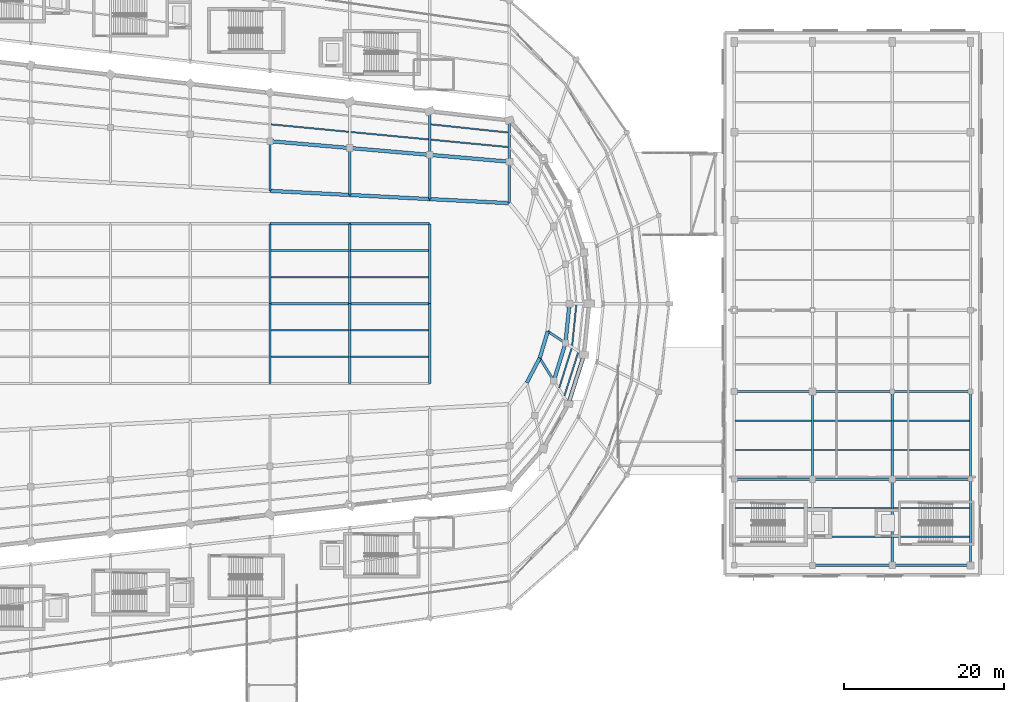
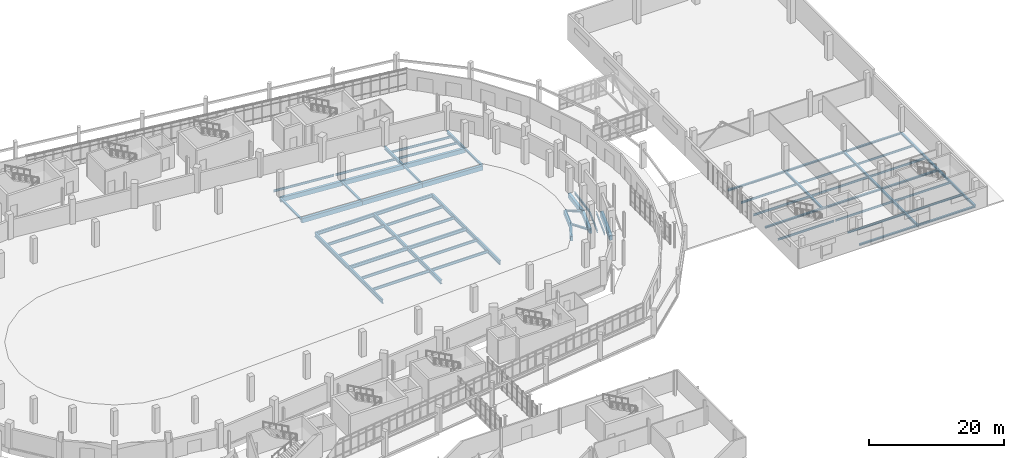
# One storey, part 70 of 122: 68 beams.
"""IFC4 building model written with IfcOpenShell, lengths in metres."""

from ifc_helpers import new_model, si_unit, direction, frame, origin, origin_2d, place, context, subcontext, project, spatial, rectangle, i_section, extrude, material, material_profile, profile_set, type_object, element, save


model = new_model("IFC4")

# Units and contexts
model_context = context("Model", 3, precision=1e-05, world=origin(), true_north=direction((0.0, 1.0)))
body_context = subcontext(model_context, "Body", "Model", "MODEL_VIEW")
ifc_project = project(units=[si_unit("LENGTHUNIT", "METRE"), si_unit("AREAUNIT", "SQUARE_METRE"), si_unit("VOLUMEUNIT", "CUBIC_METRE"), si_unit("PLANEANGLEUNIT", "RADIAN"), si_unit("MASSUNIT", "GRAM", prefix="KILO")], contexts=[model_context])

# Site, building, storey
site_placement = place(None, origin())
site = spatial("IfcSite", under=ifc_project, at=site_placement, CompositionType="ELEMENT")
building_placement = place(site_placement, origin())
building = spatial("IfcBuilding", under=site, at=building_placement, Name="Sohan Crest Arena", CompositionType="ELEMENT")
storey_placement = place(building_placement, origin())
storey = spatial("IfcBuildingStorey", under=building, at=storey_placement, Name="L00", CompositionType="ELEMENT", Elevation=0.0)

# Beams
ifc_material_1 = material(Name="Steel S355", Category="steel")
ifc_material_profile_1 = material_profile(ifc_material_1, i_section(OverallWidth=0.169921875, OverallDepth=0.360107421875, WebThickness=0.008056640625, FlangeThickness=0.0126953125, at=origin_2d()), Name="IPE 360")
ifc_profile_set_1 = profile_set([ifc_material_profile_1], Name="Steel S355")
beam_type_1 = type_object("IfcBeamType", Name="STR-BM-B02", PredefinedType="JOIST", material=ifc_profile_set_1)
beam_1_placement = place(storey_placement, frame((196.31005859375, 52.39990234375, -0.409912109375), z_axis=(1.0, 0.0, 0.0), x_axis=(0.0, 1.0, 0.0)))
element("IfcBeam", 1, at=beam_1_placement, inside=storey, type_object=beam_type_1, Name="Structural beam J-L00-2209", PredefinedType="JOIST", context=body_context, shape_type="SweptSolid", body=[
    extrude(i_section(OverallWidth=0.169921875, OverallDepth=0.360107421875, WebThickness=0.008056640625, FlangeThickness=0.0126953125, at=origin_2d()), origin(), (0.0, 0.0, 1.0), 9.579833984375),
])
for number, where, z_axis, x_axis, name in (
    (2, (206.110107421875, 48.800048828125, -0.409912109375), (1.0, 0.0, 0.0), (0.0, 1.0, 0.0), "Structural beam J-L00-2211"),
    (3, (206.110107421875, 52.39990234375, -0.409912109375), (1.0, 0.0, 0.0), (0.0, 1.0, 0.0), "Structural beam J-L00-2212"),
):
    element("IfcBeam", number, at=place(storey_placement, frame(where, z_axis=z_axis, x_axis=x_axis)), inside=storey, type_object=beam_type_1, Name=name, PredefinedType="JOIST", context=body_context, shape_type="SweptSolid", body=[
        extrude(i_section(OverallWidth=0.169921875, OverallDepth=0.360107421875, WebThickness=0.008056640625, FlangeThickness=0.0126953125, at=origin_2d()), origin(), (0.0, 0.0, 1.0), 9.77978515625),
    ])
for number, where, z_axis, x_axis, name in (
    (4, (216.110107421875, 48.800048828125, -0.409912109375), (1.0, 0.0, 0.0), (0.0, 1.0, 0.0), "Structural beam J-L00-2214"),
    (5, (216.110107421875, 52.39990234375, -0.409912109375), (1.0, 0.0, 0.0), (0.0, 1.0, 0.0), "Structural beam J-L00-2215"),
    (6, (196.31005859375, 59.6669921875, -0.409912109375), (1.0, 0.0, 0.0), (0.0, 1.0, 0.0), "Structural beam J-L00-2217"),
    (7, (196.31005859375, 63.3330078125, -0.409912109375), (1.0, 0.0, 0.0), (0.0, 1.0, 0.0), "Structural beam J-L00-2218"),
):
    element("IfcBeam", number, at=place(storey_placement, frame(where, z_axis=z_axis, x_axis=x_axis)), inside=storey, type_object=beam_type_1, Name=name, PredefinedType="JOIST", context=body_context, shape_type="SweptSolid", body=[
        extrude(i_section(OverallWidth=0.169921875, OverallDepth=0.360107421875, WebThickness=0.008056640625, FlangeThickness=0.0126953125, at=origin_2d()), origin(), (0.0, 0.0, 1.0), 9.579833984375),
    ])
for number, where, z_axis, x_axis, name in (
    (8, (206.110107421875, 59.6669921875, -0.409912109375), (1.0, 0.0, 0.0), (0.0, 1.0, 0.0), "Structural beam J-L00-2220"),
    (9, (206.110107421875, 63.3330078125, -0.409912109375), (1.0, 0.0, 0.0), (0.0, 1.0, 0.0), "Structural beam J-L00-2221"),
):
    element("IfcBeam", number, at=place(storey_placement, frame(where, z_axis=z_axis, x_axis=x_axis)), inside=storey, type_object=beam_type_1, Name=name, PredefinedType="JOIST", context=body_context, shape_type="SweptSolid", body=[
        extrude(i_section(OverallWidth=0.169921875, OverallDepth=0.360107421875, WebThickness=0.008056640625, FlangeThickness=0.0126953125, at=origin_2d()), origin(), (0.0, 0.0, 1.0), 9.77978515625),
    ])
for number, where, z_axis, x_axis, name in (
    (10, (216.110107421875, 59.6669921875, -0.409912109375), (1.0, 0.0, 0.0), (0.0, 1.0, 0.0), "Structural beam J-L00-2223"),
    (11, (216.110107421875, 63.3330078125, -0.409912109375), (1.0, 0.0, 0.0), (0.0, 1.0, 0.0), "Structural beam J-L00-2224"),
):
    element("IfcBeam", number, at=place(storey_placement, frame(where, z_axis=z_axis, x_axis=x_axis)), inside=storey, type_object=beam_type_1, Name=name, PredefinedType="JOIST", context=body_context, shape_type="SweptSolid", body=[
        extrude(i_section(OverallWidth=0.169921875, OverallDepth=0.360107421875, WebThickness=0.008056640625, FlangeThickness=0.0126953125, at=origin_2d()), origin(), (0.0, 0.0, 1.0), 9.579833984375),
    ])
ifc_material_profile_2 = material_profile(ifc_material_1, i_section(OverallWidth=0.179931640625, OverallDepth=0.39990234375, WebThickness=0.008544921875, FlangeThickness=0.013427734375, at=origin_2d()), Name="IPE 400")
ifc_profile_set_2 = profile_set([ifc_material_profile_2], Name="Steel S355")
beam_type_2 = type_object("IfcBeamType", Name="STR-BM-B03", PredefinedType="JOIST", material=ifc_profile_set_2)
beam_2_placement = place(storey_placement, frame((174.2470703125, 67.43310546875, -0.449951171875), z_axis=(0.298949451422, 0.954268948198, 0.0), x_axis=(-0.954268948198, 0.298949451422, 0.0)))
element("IfcBeam", 12, at=beam_2_placement, inside=storey, type_object=beam_type_2, Name="Structural beam J-L00-0525", PredefinedType="JOIST", context=body_context, shape_type="SweptSolid", body=[
    extrude(i_section(OverallWidth=0.179931640625, OverallDepth=0.39990234375, WebThickness=0.008544921875, FlangeThickness=0.013427734375, at=origin_2d()), origin(), (0.0, 0.0, 1.0), 5.255126953125),
])
beam_3_placement = place(storey_placement, frame((174.89111328125, 66.424072265625, -0.449951171875), z_axis=(0.301440884565, 0.953484867794, 0.0), x_axis=(-0.953484867794, 0.301440884565, 0.0)))
element("IfcBeam", 13, at=beam_3_placement, inside=storey, type_object=beam_type_2, Name="Structural beam J-L00-0526", PredefinedType="JOIST", context=body_context, shape_type="SweptSolid", body=[
    extrude(i_section(OverallWidth=0.179931640625, OverallDepth=0.39990234375, WebThickness=0.008544921875, FlangeThickness=0.013427734375, at=origin_2d()), origin(), (0.0, 0.0, 1.0), 5.775390625),
])
beam_4_placement = place(storey_placement, frame((175.862060546875, 72.662109375, -0.449951171875), z_axis=(0.101030499598, 0.994883328914, 0.0), x_axis=(-0.994883328914, 0.101030499598, 0.0)))
element("IfcBeam", 14, at=beam_4_placement, inside=storey, type_object=beam_type_2, Name="Structural beam J-L00-0548", PredefinedType="JOIST", context=body_context, shape_type="SweptSolid", body=[
    extrude(i_section(OverallWidth=0.179931640625, OverallDepth=0.39990234375, WebThickness=0.008544921875, FlangeThickness=0.013427734375, at=origin_2d()), origin(), (0.0, 0.0, 1.0), 5.255859375),
])
beam_5_placement = place(storey_placement, frame((167.89111328125, 97.6298828125, -0.449951171875), z_axis=(-0.995443739336, 0.095350730547, 0.0), x_axis=(-0.095350730547, -0.995443739336, 0.0)))
element("IfcBeam", 15, at=beam_5_placement, inside=storey, type_object=beam_type_2, Name="Structural beam J-L00-0662", PredefinedType="JOIST", context=body_context, shape_type="SweptSolid", body=[
    extrude(i_section(OverallWidth=0.179931640625, OverallDepth=0.39990234375, WebThickness=0.008544921875, FlangeThickness=0.013427734375, at=origin_2d()), origin(), (0.0, 0.0, 1.0), 9.826904296875),
])
beam_6_placement = place(storey_placement, frame((167.89111328125, 99.451904296875, -0.449951171875), z_axis=(-0.994468399553, 0.105036195141, 0.0), x_axis=(-0.105036195141, -0.994468399553, 0.0)))
element("IfcBeam", 16, at=beam_6_placement, inside=storey, type_object=beam_type_2, Name="Structural beam J-L00-0663", PredefinedType="JOIST", context=body_context, shape_type="SweptSolid", body=[
    extrude(i_section(OverallWidth=0.179931640625, OverallDepth=0.39990234375, WebThickness=0.008544921875, FlangeThickness=0.013427734375, at=origin_2d()), origin(), (0.0, 0.0, 1.0), 9.836669921875),
])
for number, where, z_axis, x_axis, name in (
    (17, (157.89111328125, 98.5869140625, -0.449951171875), (-0.995443739336, 0.095350730547, 0.0), (-0.095350730547, -0.995443739336, 0.0), "Structural beam J-L00-0684"),
    (18, (147.89111328125, 99.5439453125, -0.449951171875), (-0.995443739336, 0.095350730547, 0.0), (-0.095350730547, -0.995443739336, 0.0), "Structural beam J-L00-0706"),
):
    element("IfcBeam", number, at=place(storey_placement, frame(where, z_axis=z_axis, x_axis=x_axis)), inside=storey, type_object=beam_type_2, Name=name, PredefinedType="JOIST", context=body_context, shape_type="SweptSolid", body=[
        extrude(i_section(OverallWidth=0.179931640625, OverallDepth=0.39990234375, WebThickness=0.008544921875, FlangeThickness=0.013427734375, at=origin_2d()), origin(), (0.0, 0.0, 1.0), 9.826904296875),
    ])
ifc_material_profile_3 = material_profile(ifc_material_1, i_section(OverallWidth=0.199951171875, OverallDepth=0.5, WebThickness=0.01025390625, FlangeThickness=0.01611328125, at=origin_2d()), Name="IPE 500")
ifc_profile_set_3 = profile_set([ifc_material_profile_3], Name="Steel S355")
beam_type_3 = type_object("IfcBeamType", Name="STR-BM-B05", PredefinedType="JOIST", material=ifc_profile_set_3)
for number, where, z_axis, x_axis, name in (
    (19, (138.110107421875, 71.3330078125, -0.550048828125), (1.0, 0.0, 0.0), (0.0, 1.0, 0.0), "Structural beam J-L00-0049"),
    (20, (138.110107421875, 74.6669921875, -0.550048828125), (1.0, 0.0, 0.0), (0.0, 1.0, 0.0), "Structural beam J-L00-0050"),
    (21, (138.110107421875, 81.3330078125, -0.550048828125), (1.0, 0.0, 0.0), (0.0, 1.0, 0.0), "Structural beam J-L00-0051"),
    (22, (138.110107421875, 84.6669921875, -0.550048828125), (1.0, 0.0, 0.0), (0.0, 1.0, 0.0), "Structural beam J-L00-0052"),
    (23, (148.110107421875, 71.3330078125, -0.550048828125), (1.0, 0.0, 0.0), (0.0, 1.0, 0.0), "Structural beam J-L00-0053"),
    (24, (148.110107421875, 74.6669921875, -0.550048828125), (1.0, 0.0, 0.0), (0.0, 1.0, 0.0), "Structural beam J-L00-0054"),
    (25, (148.110107421875, 81.3330078125, -0.550048828125), (1.0, 0.0, 0.0), (0.0, 1.0, 0.0), "Structural beam J-L00-0055"),
    (26, (148.110107421875, 84.6669921875, -0.550048828125), (1.0, 0.0, 0.0), (0.0, 1.0, 0.0), "Structural beam J-L00-0056"),
):
    element("IfcBeam", number, at=place(storey_placement, frame(where, z_axis=z_axis, x_axis=x_axis)), inside=storey, type_object=beam_type_3, Name=name, PredefinedType="JOIST", context=body_context, shape_type="SweptSolid", body=[
        extrude(i_section(OverallWidth=0.199951171875, OverallDepth=0.5, WebThickness=0.01025390625, FlangeThickness=0.01611328125, at=origin_2d()), origin(), (0.0, 0.0, 1.0), 9.77978515625),
    ])
ifc_material_profile_4 = material_profile(ifc_material_1, i_section(OverallWidth=0.300048828125, OverallDepth=0.2900390625, WebThickness=0.008544921875, FlangeThickness=0.013916015625, at=origin_2d()), Name="HEA 300")
ifc_profile_set_4 = profile_set([ifc_material_profile_4], Name="Steel S355")
beam_type_4 = type_object("IfcBeamType", Name="STR-BM-B08", PredefinedType="BEAM", material=ifc_profile_set_4)
beam_7_placement = place(storey_placement, frame((206.0, 45.199951171875, -0.375), z_axis=(1.0, 0.0, 0.0), x_axis=(0.0, 1.0, 0.0)))
element("IfcBeam", 27, at=beam_7_placement, inside=storey, type_object=beam_type_4, Name="Structural beam G-L00-2210", PredefinedType="BEAM", context=body_context, shape_type="SweptSolid", body=[
    extrude(i_section(OverallWidth=0.300048828125, OverallDepth=0.2900390625, WebThickness=0.008544921875, FlangeThickness=0.013916015625, at=origin_2d()), origin(), (0.0, 0.0, 1.0), 10.0),
])
for number, where, z_axis, x_axis, name in (
    (28, (216.0, 45.199951171875, -0.375), (1.0, 0.0, 0.0), (0.0, 1.0, 0.0), "Structural beam G-L00-2213"),
    (29, (196.199951171875, 56.0, -0.375), (1.0, 0.0, 0.0), (0.0, 1.0, 0.0), "Structural beam G-L00-2216"),
):
    element("IfcBeam", number, at=place(storey_placement, frame(where, z_axis=z_axis, x_axis=x_axis)), inside=storey, type_object=beam_type_4, Name=name, PredefinedType="BEAM", context=body_context, shape_type="SweptSolid", body=[
        extrude(i_section(OverallWidth=0.300048828125, OverallDepth=0.2900390625, WebThickness=0.008544921875, FlangeThickness=0.013916015625, at=origin_2d()), origin(), (0.0, 0.0, 1.0), 9.800048828125),
    ])
beam_8_placement = place(storey_placement, frame((206.0, 56.0, -0.375), z_axis=(1.0, 0.0, 0.0), x_axis=(0.0, 1.0, 0.0)))
element("IfcBeam", 30, at=beam_8_placement, inside=storey, type_object=beam_type_4, Name="Structural beam G-L00-2219", PredefinedType="BEAM", context=body_context, shape_type="SweptSolid", body=[
    extrude(i_section(OverallWidth=0.300048828125, OverallDepth=0.2900390625, WebThickness=0.008544921875, FlangeThickness=0.013916015625, at=origin_2d()), origin(), (0.0, 0.0, 1.0), 10.0),
])
for number, where, z_axis, x_axis, name in (
    (31, (216.0, 56.0, -0.375), (1.0, 0.0, 0.0), (0.0, 1.0, 0.0), "Structural beam G-L00-2222"),
    (32, (196.199951171875, 67.0, -0.375), (1.0, 0.0, 0.0), (0.0, 1.0, 0.0), "Structural beam G-L00-2225"),
):
    element("IfcBeam", number, at=place(storey_placement, frame(where, z_axis=z_axis, x_axis=x_axis)), inside=storey, type_object=beam_type_4, Name=name, PredefinedType="BEAM", context=body_context, shape_type="SweptSolid", body=[
        extrude(i_section(OverallWidth=0.300048828125, OverallDepth=0.2900390625, WebThickness=0.008544921875, FlangeThickness=0.013916015625, at=origin_2d()), origin(), (0.0, 0.0, 1.0), 9.800048828125),
    ])
beam_9_placement = place(storey_placement, frame((206.0, 67.0, -0.375), z_axis=(1.0, 0.0, 0.0), x_axis=(0.0, 1.0, 0.0)))
element("IfcBeam", 33, at=beam_9_placement, inside=storey, type_object=beam_type_4, Name="Structural beam G-L00-2228", PredefinedType="BEAM", context=body_context, shape_type="SweptSolid", body=[
    extrude(i_section(OverallWidth=0.300048828125, OverallDepth=0.2900390625, WebThickness=0.008544921875, FlangeThickness=0.013916015625, at=origin_2d()), origin(), (0.0, 0.0, 1.0), 10.0),
])
beam_10_placement = place(storey_placement, frame((216.0, 67.0, -0.375), z_axis=(1.0, 0.0, 0.0), x_axis=(0.0, 1.0, 0.0)))
element("IfcBeam", 34, at=beam_10_placement, inside=storey, type_object=beam_type_4, Name="Structural beam G-L00-2231", PredefinedType="BEAM", context=body_context, shape_type="SweptSolid", body=[
    extrude(i_section(OverallWidth=0.300048828125, OverallDepth=0.2900390625, WebThickness=0.008544921875, FlangeThickness=0.013916015625, at=origin_2d()), origin(), (0.0, 0.0, 1.0), 9.800048828125),
])
ifc_material_profile_5 = material_profile(ifc_material_1, i_section(OverallWidth=0.300048828125, OverallDepth=0.389892578125, WebThickness=0.010986328125, FlangeThickness=0.01904296875, at=origin_2d()), Name="HEA 400")
ifc_profile_set_5 = profile_set([ifc_material_profile_5], Name="Steel S355")
beam_type_5 = type_object("IfcBeamType", Name="STR-BM-B09", PredefinedType="BEAM", material=ifc_profile_set_5)
beam_11_placement = place(storey_placement, frame((206.0, 56.0, -0.425048828125), z_axis=(0.0, 1.0, 0.0), x_axis=(-1.0, 0.0, 0.0)))
element("IfcBeam", 35, at=beam_11_placement, inside=storey, type_object=beam_type_5, Name="Structural beam G-L00-2190", PredefinedType="BEAM", context=body_context, shape_type="SweptSolid", body=[
    extrude(i_section(OverallWidth=0.300048828125, OverallDepth=0.389892578125, WebThickness=0.010986328125, FlangeThickness=0.01904296875, at=origin_2d()), origin(), (0.0, 0.0, 1.0), 11.0),
])
beam_12_placement = place(storey_placement, frame((216.0, 45.199951171875, -0.425048828125), z_axis=(0.0, 1.0, 0.0), x_axis=(-1.0, 0.0, 0.0)))
element("IfcBeam", 36, at=beam_12_placement, inside=storey, type_object=beam_type_5, Name="Structural beam G-L00-2195", PredefinedType="BEAM", context=body_context, shape_type="SweptSolid", body=[
    extrude(i_section(OverallWidth=0.300048828125, OverallDepth=0.389892578125, WebThickness=0.010986328125, FlangeThickness=0.01904296875, at=origin_2d()), origin(), (0.0, 0.0, 1.0), 10.800048828125),
])
beam_13_placement = place(storey_placement, frame((216.0, 56.0, -0.425048828125), z_axis=(0.0, 1.0, 0.0), x_axis=(-1.0, 0.0, 0.0)))
element("IfcBeam", 37, at=beam_13_placement, inside=storey, type_object=beam_type_5, Name="Structural beam G-L00-2196", PredefinedType="BEAM", context=body_context, shape_type="SweptSolid", body=[
    extrude(i_section(OverallWidth=0.300048828125, OverallDepth=0.389892578125, WebThickness=0.010986328125, FlangeThickness=0.01904296875, at=origin_2d()), origin(), (0.0, 0.0, 1.0), 11.0),
])
beam_14_placement = place(storey_placement, frame((225.800048828125, 45.199951171875, -0.425048828125), z_axis=(0.0, 1.0, 0.0), x_axis=(-1.0, 0.0, 0.0)))
element("IfcBeam", 38, at=beam_14_placement, inside=storey, type_object=beam_type_5, Name="Structural beam G-L00-2201", PredefinedType="BEAM", context=body_context, shape_type="SweptSolid", body=[
    extrude(i_section(OverallWidth=0.300048828125, OverallDepth=0.389892578125, WebThickness=0.010986328125, FlangeThickness=0.01904296875, at=origin_2d()), origin(), (0.0, 0.0, 1.0), 10.800048828125),
])
beam_15_placement = place(storey_placement, frame((225.800048828125, 56.0, -0.425048828125), z_axis=(0.0, 1.0, 0.0), x_axis=(-1.0, 0.0, 0.0)))
element("IfcBeam", 39, at=beam_15_placement, inside=storey, type_object=beam_type_5, Name="Structural beam G-L00-2202", PredefinedType="BEAM", context=body_context, shape_type="SweptSolid", body=[
    extrude(i_section(OverallWidth=0.300048828125, OverallDepth=0.389892578125, WebThickness=0.010986328125, FlangeThickness=0.01904296875, at=origin_2d()), origin(), (0.0, 0.0, 1.0), 11.0),
])
ifc_material_profile_6 = material_profile(ifc_material_1, i_section(OverallWidth=0.300048828125, OverallDepth=0.590087890625, WebThickness=0.012939453125, FlangeThickness=0.02490234375, at=origin_2d()), Name="HEA 600")
ifc_profile_set_6 = profile_set([ifc_material_profile_6], Name="Steel S355")
beam_type_6 = type_object("IfcBeamType", Name="STR-BM-B11", PredefinedType="BEAM", material=ifc_profile_set_6)
beam_16_placement = place(storey_placement, frame((168.0, 95.800048828125, -0.544921875), z_axis=(0.0, 1.0, 0.0), x_axis=(-1.0, 0.0, 0.0)))
element("IfcBeam", 40, at=beam_16_placement, inside=storey, type_object=beam_type_6, Name="Structural beam G-L00-0661", PredefinedType="BEAM", context=body_context, shape_type="SweptSolid", body=[
    extrude(i_section(OverallWidth=0.300048828125, OverallDepth=0.590087890625, WebThickness=0.012939453125, FlangeThickness=0.02490234375, at=origin_2d()), origin(), (0.0, 0.0, 1.0), 5.199951171875),
])
beam_17_placement = place(storey_placement, frame((158.0, 96.656982421875, -0.544921875), z_axis=(0.0, 1.0, 0.0), x_axis=(-1.0, 0.0, 0.0)))
element("IfcBeam", 41, at=beam_17_placement, inside=storey, type_object=beam_type_6, Name="Structural beam G-L00-0683", PredefinedType="BEAM", context=body_context, shape_type="SweptSolid", body=[
    extrude(i_section(OverallWidth=0.300048828125, OverallDepth=0.590087890625, WebThickness=0.012939453125, FlangeThickness=0.02490234375, at=origin_2d()), origin(), (0.0, 0.0, 1.0), 5.486083984375),
])
ifc_material_profile_7 = material_profile(ifc_material_1, i_section(OverallWidth=0.300048828125, OverallDepth=0.300048828125, WebThickness=0.010986328125, FlangeThickness=0.01904296875, at=origin_2d()), Name="HEB 300")
ifc_profile_set_7 = profile_set([ifc_material_profile_7], Name="Steel S355")
beam_type_7 = type_object("IfcBeamType", Name="STR-BM-B12", PredefinedType="BEAM", material=ifc_profile_set_7)
beam_18_placement = place(storey_placement, frame((171.80908203125, 71.195068359375, -0.39990234375), z_axis=(0.524636757969, -0.851326184366, 0.0), x_axis=(0.851326184366, 0.524636757969, 0.0)))
element("IfcBeam", 42, at=beam_18_placement, inside=storey, type_object=beam_type_7, Name="Structural beam G-L00-0521", PredefinedType="BEAM", context=body_context, shape_type="SweptSolid", body=[
    extrude(i_section(OverallWidth=0.300048828125, OverallDepth=0.300048828125, WebThickness=0.010986328125, FlangeThickness=0.01904296875, at=origin_2d()), origin(), (0.0, 0.0, 1.0), 3.3583984375),
])
beam_19_placement = place(storey_placement, frame((172.80810546875, 74.532958984375, -0.39990234375), z_axis=(0.836029533963, -0.54868444332, 0.0), x_axis=(0.54868444332, 0.836029533963, 0.0)))
element("IfcBeam", 43, at=beam_19_placement, inside=storey, type_object=beam_type_7, Name="Structural beam G-L00-0544", PredefinedType="BEAM", context=body_context, shape_type="SweptSolid", body=[
    extrude(i_section(OverallWidth=0.300048828125, OverallDepth=0.300048828125, WebThickness=0.010986328125, FlangeThickness=0.01904296875, at=origin_2d()), origin(), (0.0, 0.0, 1.0), 2.666259765625),
])
beam_20_placement = place(storey_placement, frame((168.0, 90.60009765625, -0.39990234375), z_axis=(0.0, 1.0, 0.0), x_axis=(-1.0, 0.0, 0.0)))
element("IfcBeam", 44, at=beam_20_placement, inside=storey, type_object=beam_type_7, Name="Structural beam G-L00-0658", PredefinedType="BEAM", context=body_context, shape_type="SweptSolid", body=[
    extrude(i_section(OverallWidth=0.300048828125, OverallDepth=0.300048828125, WebThickness=0.010986328125, FlangeThickness=0.01904296875, at=origin_2d()), origin(), (0.0, 0.0, 1.0), 5.199951171875),
])
beam_21_placement = place(storey_placement, frame((158.0, 91.114013671875, -0.39990234375), z_axis=(0.0, 1.0, 0.0), x_axis=(-1.0, 0.0, 0.0)))
element("IfcBeam", 45, at=beam_21_placement, inside=storey, type_object=beam_type_7, Name="Structural beam G-L00-0680", PredefinedType="BEAM", context=body_context, shape_type="SweptSolid", body=[
    extrude(i_section(OverallWidth=0.300048828125, OverallDepth=0.300048828125, WebThickness=0.010986328125, FlangeThickness=0.01904296875, at=origin_2d()), origin(), (0.0, 0.0, 1.0), 5.54296875),
])
beam_22_placement = place(storey_placement, frame((148.0, 91.62890625, -0.39990234375), z_axis=(0.0, 1.0, 0.0), x_axis=(-1.0, 0.0, 0.0)))
element("IfcBeam", 46, at=beam_22_placement, inside=storey, type_object=beam_type_7, Name="Structural beam G-L00-0702", PredefinedType="BEAM", context=body_context, shape_type="SweptSolid", body=[
    extrude(i_section(OverallWidth=0.300048828125, OverallDepth=0.300048828125, WebThickness=0.010986328125, FlangeThickness=0.01904296875, at=origin_2d()), origin(), (0.0, 0.0, 1.0), 5.885009765625),
])
beam_23_placement = place(storey_placement, frame((138.0, 92.14306640625, -0.39990234375), z_axis=(0.0, 1.0, 0.0), x_axis=(-1.0, 0.0, 0.0)))
element("IfcBeam", 47, at=beam_23_placement, inside=storey, type_object=beam_type_7, Name="Structural beam G-L00-0724", PredefinedType="BEAM", context=body_context, shape_type="SweptSolid", body=[
    extrude(i_section(OverallWidth=0.300048828125, OverallDepth=0.300048828125, WebThickness=0.010986328125, FlangeThickness=0.01904296875, at=origin_2d()), origin(), (0.0, 0.0, 1.0), 6.22802734375),
])
ifc_material_profile_8 = material_profile(ifc_material_1, i_section(OverallWidth=0.300048828125, OverallDepth=0.60009765625, WebThickness=0.015380859375, FlangeThickness=0.030029296875, at=origin_2d()), Name="HEB 600")
ifc_profile_set_8 = profile_set([ifc_material_profile_8], Name="Steel S355")
beam_type_8 = type_object("IfcBeamType", Name="STR-BM-B15", PredefinedType="BEAM", material=ifc_profile_set_8)
for number, where, z_axis, x_axis, name in (
    (48, (138.0, 78.0, -0.60009765625), (1.0, 0.0, 0.0), (0.0, 1.0, 0.0), "Structural beam G-L00-0025"),
    (49, (148.0, 78.0, -0.60009765625), (1.0, 0.0, 0.0), (0.0, 1.0, 0.0), "Structural beam G-L00-0026"),
    (50, (138.0, 88.0, -0.60009765625), (1.0, 0.0, 0.0), (0.0, 1.0, 0.0), "Structural beam G-L00-0031"),
    (51, (148.0, 88.0, -0.60009765625), (1.0, 0.0, 0.0), (0.0, 1.0, 0.0), "Structural beam G-L00-0032"),
):
    element("IfcBeam", number, at=place(storey_placement, frame(where, z_axis=z_axis, x_axis=x_axis)), inside=storey, type_object=beam_type_8, Name=name, PredefinedType="BEAM", context=body_context, shape_type="SweptSolid", body=[
        extrude(i_section(OverallWidth=0.300048828125, OverallDepth=0.60009765625, WebThickness=0.015380859375, FlangeThickness=0.030029296875, at=origin_2d()), origin(), (0.0, 0.0, 1.0), 10.0),
    ])
ifc_material_profile_9 = material_profile(ifc_material_1, i_section(OverallWidth=0.300048828125, OverallDepth=0.699951171875, WebThickness=0.01708984375, FlangeThickness=0.031982421875, at=origin_2d()), Name="HEB 700")
ifc_profile_set_9 = profile_set([ifc_material_profile_9], Name="Steel S355")
beam_type_9 = type_object("IfcBeamType", Name="STR-BM-B16", PredefinedType="BEAM", material=ifc_profile_set_9)
for number, where, z_axis, x_axis, name in (
    (52, (138.0, 68.0, -0.64990234375), (0.0, 1.0, 0.0), (-1.0, 0.0, 0.0), "Structural beam G-L00-0009"),
    (53, (138.0, 78.0, -0.64990234375), (0.0, 1.0, 0.0), (-1.0, 0.0, 0.0), "Structural beam G-L00-0010"),
    (54, (148.0, 68.0, -0.64990234375), (0.0, 1.0, 0.0), (-1.0, 0.0, 0.0), "Structural beam G-L00-0011"),
    (55, (148.0, 78.0, -0.64990234375), (0.0, 1.0, 0.0), (-1.0, 0.0, 0.0), "Structural beam G-L00-0012"),
    (56, (158.0, 68.0, -0.64990234375), (0.0, 1.0, 0.0), (-1.0, 0.0, 0.0), "Structural beam G-L00-0013"),
    (57, (158.0, 78.0, -0.64990234375), (0.0, 1.0, 0.0), (-1.0, 0.0, 0.0), "Structural beam G-L00-0014"),
):
    element("IfcBeam", number, at=place(storey_placement, frame(where, z_axis=z_axis, x_axis=x_axis)), inside=storey, type_object=beam_type_9, Name=name, PredefinedType="BEAM", context=body_context, shape_type="SweptSolid", body=[
        extrude(i_section(OverallWidth=0.300048828125, OverallDepth=0.699951171875, WebThickness=0.01708984375, FlangeThickness=0.031982421875, at=origin_2d()), origin(), (0.0, 0.0, 1.0), 10.0),
    ])
ifc_material_2 = material(Name="Concrete C40/50", Category="concrete")
ifc_material_profile_10 = material_profile(ifc_material_2, rectangle(XDim=0.449951171875, YDim=0.800048828125, at=origin_2d()), Name="RC-BM 450x800")
ifc_profile_set_10 = profile_set([ifc_material_profile_10], Name="Concrete C40/50")
beam_type_10 = type_object("IfcBeamType", Name="STR-BM-TB02", PredefinedType="BEAM", material=ifc_profile_set_10)
for number, where, z_axis, x_axis, name in (
    (58, (170.18603515625, 68.112060546875, -0.64990234375), (0.465838846331, 0.884869577536, 0.0), (-0.884869577536, 0.465838846331, 0.0), "Structural beam TB-L00-0497"),
    (59, (171.80908203125, 71.195068359375, -0.64990234375), (0.286730686507, 0.95801122823, 0.0), (-0.95801122823, 0.286730686507, 0.0), "Structural beam TB-L00-0520"),
):
    element("IfcBeam", number, at=place(storey_placement, frame(where, z_axis=z_axis, x_axis=x_axis)), inside=storey, type_object=beam_type_10, Name=name, PredefinedType="BEAM", context=body_context, shape_type="SweptSolid", body=[
        extrude(rectangle(XDim=0.449951171875, YDim=0.800048828125, at=origin_2d()), origin(), (0.0, 0.0, 1.0), 3.484130859375),
    ])
beam_24_placement = place(storey_placement, frame((173.571044921875, 68.3359375, -0.64990234375), z_axis=(0.295819661295, 0.955243805524, 0.0), x_axis=(-0.955243805524, 0.295819661295, 0.0)))
element("IfcBeam", 60, at=beam_24_placement, inside=storey, type_object=beam_type_10, Name="Structural beam TB-L00-0522", PredefinedType="BEAM", context=body_context, shape_type="SweptSolid", body=[
    extrude(rectangle(XDim=0.449951171875, YDim=0.800048828125, at=origin_2d()), origin(), (0.0, 0.0, 1.0), 4.9560546875),
])
beam_25_placement = place(storey_placement, frame((175.037109375, 73.070068359375, -0.64990234375), z_axis=(0.099879368849, 0.994999553607, 0.0), x_axis=(-0.994999553607, 0.099879368849, 0.0)))
element("IfcBeam", 61, at=beam_25_placement, inside=storey, type_object=beam_type_10, Name="Structural beam TB-L00-0545", PredefinedType="BEAM", context=body_context, shape_type="SweptSolid", body=[
    extrude(rectangle(XDim=0.449951171875, YDim=0.800048828125, at=origin_2d()), origin(), (0.0, 0.0, 1.0), 4.95458984375),
])
beam_26_placement = place(storey_placement, frame((168.0, 90.60009765625, -0.64990234375), z_axis=(-0.998682061673, 0.051323870601, 0.0), x_axis=(-0.051323870601, -0.998682061673, 0.0)))
element("IfcBeam", 62, at=beam_26_placement, inside=storey, type_object=beam_type_10, Name="Structural beam TB-L00-0657", PredefinedType="BEAM", context=body_context, shape_type="SweptSolid", body=[
    extrude(rectangle(XDim=0.449951171875, YDim=0.800048828125, at=origin_2d()), origin(), (0.0, 0.0, 1.0), 10.01318359375),
])
beam_27_placement = place(storey_placement, frame((168.0, 95.800048828125, -0.64990234375), z_axis=(-0.996348422929, 0.085380443469, 0.0), x_axis=(-0.085380443469, -0.996348422929, 0.0)))
element("IfcBeam", 63, at=beam_27_placement, inside=storey, type_object=beam_type_10, Name="Structural beam TB-L00-0659", PredefinedType="BEAM", context=body_context, shape_type="SweptSolid", body=[
    extrude(rectangle(XDim=0.449951171875, YDim=0.800048828125, at=origin_2d()), origin(), (0.0, 0.0, 1.0), 10.03662109375),
])
beam_28_placement = place(storey_placement, frame((158.0, 91.114013671875, -0.64990234375), z_axis=(-0.998677058066, 0.051421140514, 0.0), x_axis=(-0.051421140514, -0.998677058066, 0.0)))
element("IfcBeam", 64, at=beam_28_placement, inside=storey, type_object=beam_type_10, Name="Structural beam TB-L00-0679", PredefinedType="BEAM", context=body_context, shape_type="SweptSolid", body=[
    extrude(rectangle(XDim=0.449951171875, YDim=0.800048828125, at=origin_2d()), origin(), (0.0, 0.0, 1.0), 10.01318359375),
])
beam_29_placement = place(storey_placement, frame((158.0, 96.656982421875, -0.64990234375), z_axis=(-0.996348422929, 0.085380443469, 0.0), x_axis=(-0.085380443469, -0.996348422929, 0.0)))
element("IfcBeam", 65, at=beam_29_placement, inside=storey, type_object=beam_type_10, Name="Structural beam TB-L00-0681", PredefinedType="BEAM", context=body_context, shape_type="SweptSolid", body=[
    extrude(rectangle(XDim=0.449951171875, YDim=0.800048828125, at=origin_2d()), origin(), (0.0, 0.0, 1.0), 10.03662109375),
])
beam_30_placement = place(storey_placement, frame((148.0, 91.62890625, -0.64990234375), z_axis=(-0.998680811655, 0.051348188216, 0.0), x_axis=(-0.051348188216, -0.998680811655, 0.0)))
element("IfcBeam", 66, at=beam_30_placement, inside=storey, type_object=beam_type_10, Name="Structural beam TB-L00-0701", PredefinedType="BEAM", context=body_context, shape_type="SweptSolid", body=[
    extrude(rectangle(XDim=0.449951171875, YDim=0.800048828125, at=origin_2d()), origin(), (0.0, 0.0, 1.0), 10.01318359375),
])
beam_31_placement = place(storey_placement, frame((148.0, 97.513916015625, -0.64990234375), z_axis=(-0.996346353353, 0.085404590982, 0.0), x_axis=(-0.085404590982, -0.996346353353, 0.0)))
element("IfcBeam", 67, at=beam_31_placement, inside=storey, type_object=beam_type_10, Name="Structural beam TB-L00-0703", PredefinedType="BEAM", context=body_context, shape_type="SweptSolid", body=[
    extrude(rectangle(XDim=0.449951171875, YDim=0.800048828125, at=origin_2d()), origin(), (0.0, 0.0, 1.0), 10.03662109375),
])
ifc_material_profile_11 = material_profile(ifc_material_2, rectangle(XDim=0.5, YDim=0.89990234375, at=origin_2d()), Name="RC-BM 500x900")
ifc_profile_set_11 = profile_set([ifc_material_profile_11], Name="Concrete C40/50")
beam_type_11 = type_object("IfcBeamType", Name="STR-BM-TB03", PredefinedType="BEAM", material=ifc_profile_set_11)
beam_32_placement = place(storey_placement, frame((175.408935546875, 65.455078125, -0.699951171875), z_axis=(0.303361657972, 0.952875492639, 0.0), x_axis=(-0.952875492639, 0.303361657972, 0.0)))
element("IfcBeam", 68, at=beam_32_placement, inside=storey, type_object=beam_type_11, Name="Structural beam TB-L00-0523", PredefinedType="BEAM", context=body_context, shape_type="SweptSolid", body=[
    extrude(rectangle(XDim=0.5, YDim=0.89990234375, at=origin_2d()), origin(), (0.0, 0.0, 1.0), 6.44140625),
])

save(model, "model.ifc")
